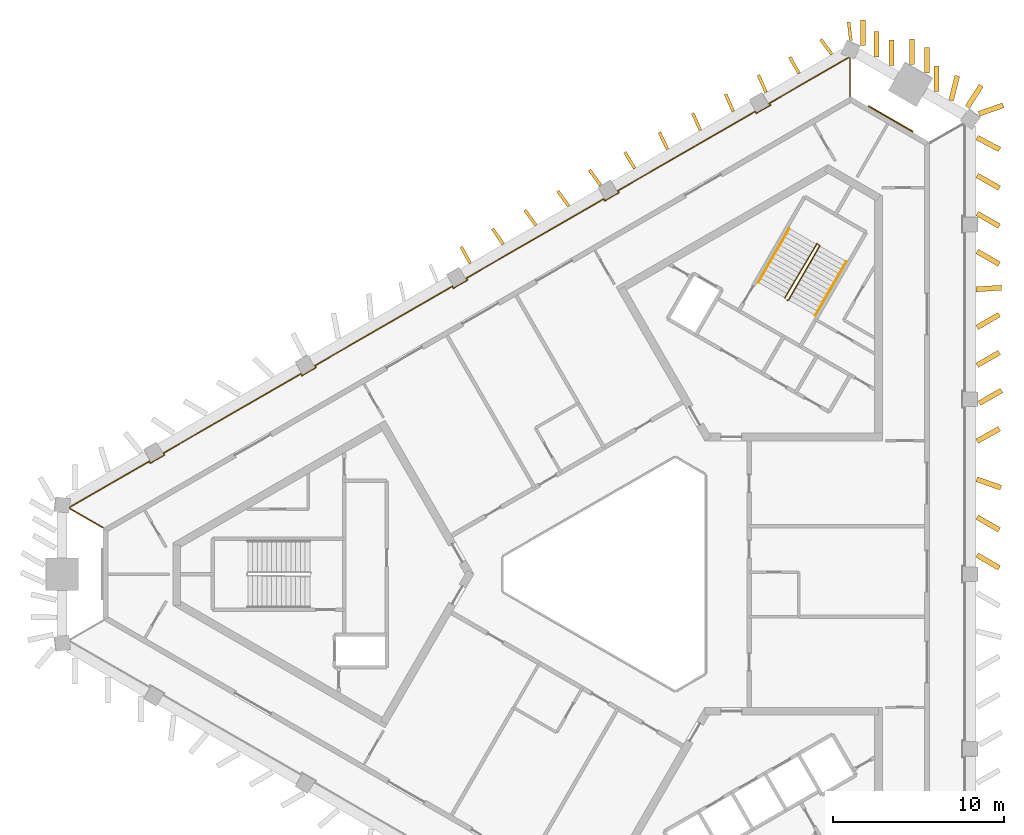
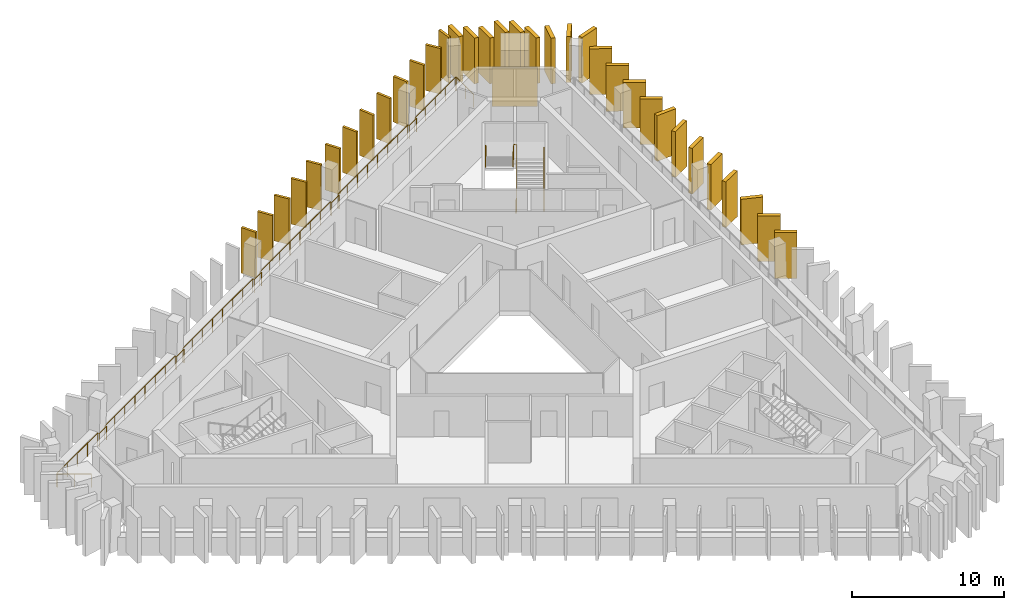
# One storey, part 9 of 9: 34 shading devices, 4 railings, 1 covering.
"""IFC4 building model written with IfcOpenShell, lengths in metres."""

import ifcopenshell
import ifcopenshell.guid

model = None  # the IFC model being written
_history = None  # IfcOwnerHistory: only IFC2X3 demands one
_inside = {}  # id of a spatial element -> (the spatial element, [elements in it])
_under = {}  # id of a project, library or spatial element -> (it, [spatial elements below it])
_declared = {}  # id of a project -> (the project, [libraries it declares])
_typed = {}  # id of a type object -> (the type object, [elements of that type])
_made_of = {}  # id of a material, layer set ... -> (it, [elements and type objects made of it])


def new_model(schema):
    """Start an empty IFC model of exactly this schema.

    Asked for "IFC4X3", IfcOpenShell would pick the latest addendum, in which some entities
    have other attributes; the version numbers below select the first issue.
    IFC2X3 requires an IfcOwnerHistory on every rooted entity: one is made here for all.
    """
    global model, _history
    if schema == "IFC4X3":
        model = ifcopenshell.file(schema_version=(4, 3, 0, 0))
    else:
        model = ifcopenshell.file(schema=schema)
    _inside.clear()
    _under.clear()
    _declared.clear()
    _typed.clear()
    _made_of.clear()
    _history = None
    if model.schema == "IFC2X3":
        org = make("IfcOrganization", Name="unknown")
        user = make(
            "IfcPersonAndOrganization",
            ThePerson=make("IfcPerson", FamilyName="unknown"),
            TheOrganization=org,
        )
        app = make(
            "IfcApplication",
            ApplicationDeveloper=org,
            Version="unknown",
            ApplicationFullName="unknown",
            ApplicationIdentifier="unknown",
        )
        _history = make(
            "IfcOwnerHistory",
            OwningUser=user,
            OwningApplication=app,
            ChangeAction="ADDED",
            CreationDate=0,
        )
    return model


def make(cls, **values):
    """One entity of the class cls with the attributes given. An attribute that is None is left unset."""
    return model.create_entity(
        cls, **{name: value for name, value in values.items() if value is not None}
    )


def rooted(cls, **values):
    """An entity with a GlobalId (a new one), such as an element, a storey or a relation."""
    return make(cls, GlobalId=ifcopenshell.guid.new(), OwnerHistory=_history, **values)


def si_unit(unit_type, name, prefix=None):
    """IfcSIUnit, for example si_unit("LENGTHUNIT", "METRE", prefix="MILLI")."""
    return make("IfcSIUnit", UnitType=unit_type, Prefix=prefix, Name=name)


def assignment(units):
    """IfcUnitAssignment: the units of a project."""
    return None if units is None else make("IfcUnitAssignment", Units=units)


def point(xyz):
    """IfcCartesianPoint."""
    return None if xyz is None else make("IfcCartesianPoint", Coordinates=xyz)


def direction(xyz):
    """IfcDirection."""
    return None if xyz is None else make("IfcDirection", DirectionRatios=xyz)


def frame(location, z_axis=None, x_axis=None):
    """IfcAxis2Placement3D, a coordinate frame: its origin and axes. An axis left out is left unset."""
    return make(
        "IfcAxis2Placement3D",
        Location=point(location),
        Axis=direction(z_axis),
        RefDirection=direction(x_axis),
    )


def frame_2d(location, x_axis=None):
    """IfcAxis2Placement2D, a coordinate frame in the plane: its origin and x axis."""
    return make(
        "IfcAxis2Placement2D", Location=point(location), RefDirection=direction(x_axis)
    )


def origin():
    """The frame at (0, 0, 0) with its axes left unset."""
    return frame((0.0, 0.0, 0.0))


def origin_2d():
    """The frame at (0, 0) in the plane with its x axis left unset."""
    return frame_2d((0.0, 0.0))


def place(relative_to, where):
    """IfcLocalPlacement: puts the frame where relative to a parent placement (None: the world)."""
    return make(
        "IfcLocalPlacement", PlacementRelTo=relative_to, RelativePlacement=where
    )


def context(
    kind, dimensions, precision=None, world=None, true_north=None, identifier=None
):
    """IfcGeometricRepresentationContext, for example the 3D "Model" context."""
    return make(
        "IfcGeometricRepresentationContext",
        ContextIdentifier=identifier,
        ContextType=kind,
        CoordinateSpaceDimension=dimensions,
        Precision=precision,
        WorldCoordinateSystem=world,
        TrueNorth=true_north,
    )


def subcontext(parent, identifier, kind, view, scale=None):
    """IfcGeometricRepresentationSubContext, for example "Body" below "Model"."""
    return make(
        "IfcGeometricRepresentationSubContext",
        ContextIdentifier=identifier,
        ContextType=kind,
        ParentContext=parent,
        TargetScale=scale,
        TargetView=view,
    )


def project(units=None, contexts=None):
    """IfcProject with its units and contexts."""
    return rooted(
        "IfcProject",
        Name="project",
        RepresentationContexts=contexts,
        UnitsInContext=assignment(units),
    )


def spatial(cls, under=None, at=None, **own):
    """A site, building, storey or space (cls), placed at a placement, below another one or the project."""
    s = rooted(cls, ObjectPlacement=at, **own)
    if under is not None:
        _under.setdefault(under.id(), (under, []))[1].append(s)
    return s


def profile(cls, at=None, kind="AREA", **sizes):
    """A parametric profile (cls). Its sizes go by their IFC names, for example OverallWidth=200.0."""
    return make(cls, ProfileType=kind, Position=at, **sizes)


def rectangle(**sizes):
    """IfcRectangleProfileDef."""
    return profile("IfcRectangleProfileDef", **sizes)


def circle(**sizes):
    """IfcCircleProfileDef."""
    return profile("IfcCircleProfileDef", **sizes)


def extrude(swept, where, along, depth):
    """IfcExtrudedAreaSolid: the profile swept, set in the frame where, extruded along a direction by depth."""
    return make(
        "IfcExtrudedAreaSolid",
        SweptArea=swept,
        Position=where,
        ExtrudedDirection=direction(along),
        Depth=depth,
    )


def shape(context_of_items, identifier, shape_type, items):
    """IfcShapeRepresentation: the items that make up one representation, for example the "Body"."""
    return make(
        "IfcShapeRepresentation",
        ContextOfItems=context_of_items,
        RepresentationIdentifier=identifier,
        RepresentationType=shape_type,
        Items=items,
    )


def material(Name=None, Category=None):
    """IfcMaterial."""
    return make("IfcMaterial", Name=Name, Category=Category)


def layer(
    of_material, thickness, ventilated=None, Name=None, Category=None, Priority=None
):
    """IfcMaterialLayer: one layer of a wall or slab, of a material (None: an air gap)."""
    return make(
        "IfcMaterialLayer",
        Material=of_material,
        LayerThickness=thickness,
        IsVentilated=ventilated,
        Name=Name,
        Category=Category,
        Priority=Priority,
    )


def layer_set(layers, Name=None):
    """IfcMaterialLayerSet."""
    return make("IfcMaterialLayerSet", MaterialLayers=layers, LayerSetName=Name)


def made_of(thing, what):
    """Note that an element or type object is made of a material, layer set ...; save() writes the relation."""
    if what is not None:
        _made_of.setdefault(what.id(), (what, []))[1].append(thing)
    return thing


def type_object(cls, material=None, **own):
    """A type object (cls), such as IfcWallType, which elements share."""
    return made_of(rooted(cls, **own), material)


def element(
    cls,
    number,
    at=None,
    inside=None,
    cuts=None,
    type_object=None,
    material=None,
    context=None,
    identifier="Body",
    shape_type=None,
    held_by="IfcProductDefinitionShape",
    body=None,
    shapes=None,
    **own,
):
    """One element of the class cls, such as IfcWall. Its Tag is "e" and its number.

    at: its placement. inside: the storey or other place that contains it. cuts: it is an
    opening in that element (IfcRelVoidsElement). A single representation is given by context,
    identifier, shape_type and body (its items); several are given by shapes. held_by: the class
    of the entity that holds the representations. save() writes the other relations.
    """
    e = rooted(cls, Tag="e%d" % number, ObjectPlacement=at, **own)
    if body is not None:
        shapes = [shape(context, identifier, shape_type, body)]
    if shapes is not None:
        e.Representation = make(held_by, Representations=shapes)
    if inside is not None:
        _inside.setdefault(inside.id(), (inside, []))[1].append(e)
    if cuts is not None:
        rooted(
            "IfcRelVoidsElement", RelatingBuildingElement=cuts, RelatedOpeningElement=e
        )
    if type_object is not None:
        _typed.setdefault(type_object.id(), (type_object, []))[1].append(e)
    return made_of(e, material)


def aggregate(whole, parts):
    """IfcRelAggregates: a whole, such as a stair, and the parts it consists of."""
    return rooted("IfcRelAggregates", RelatingObject=whole, RelatedObjects=parts)


def save(model, path):
    """Write the relations noted so far, then the file.

    IfcRelAggregates (storeys below a building ...), IfcRelContainedInSpatialStructure (elements
    in a storey), IfcRelDefinesByType, IfcRelAssociatesMaterial and IfcRelDeclares: one each for
    every whole, place, type object, material and project.
    """
    for whole, parts in _under.values():
        aggregate(whole, parts)
    for where, things in _inside.values():
        rooted(
            "IfcRelContainedInSpatialStructure",
            RelatedElements=things,
            RelatingStructure=where,
        )
    for kind, things in _typed.values():
        rooted("IfcRelDefinesByType", RelatedObjects=things, RelatingType=kind)
    for what, things in _made_of.values():
        rooted("IfcRelAssociatesMaterial", RelatedObjects=things, RelatingMaterial=what)
    for by, libraries in _declared.values():
        rooted("IfcRelDeclares", RelatingContext=by, RelatedDefinitions=libraries)
    model.write(path)


model = new_model("IFC4")

# Units and contexts
model_context = context("Model", 3, precision=1e-05, world=origin(), true_north=direction((0.0, 1.0)))
body_context = subcontext(model_context, "Body", "Model", "MODEL_VIEW")
ifc_project = project(units=[si_unit("LENGTHUNIT", "METRE"), si_unit("AREAUNIT", "SQUARE_METRE"), si_unit("VOLUMEUNIT", "CUBIC_METRE"), si_unit("PLANEANGLEUNIT", "RADIAN"), si_unit("MASSUNIT", "GRAM", prefix="KILO")], contexts=[model_context])

# Site, building, storey
site_placement = place(None, origin())
site = spatial("IfcSite", under=ifc_project, at=site_placement, CompositionType="ELEMENT")
building_placement = place(site_placement, origin())
building = spatial("IfcBuilding", under=site, at=building_placement, Name="Jabali Bay Hotel Tower and Convention Centre", CompositionType="ELEMENT")
storey_placement = place(building_placement, frame((0.0, 0.0, 228.0)))
storey = spatial("IfcBuildingStorey", under=building, at=storey_placement, Name="L56", CompositionType="ELEMENT", Elevation=228.0)

# Railing
ifc_material_1 = material(Name="Glass", Category="glass")
railing_type_1 = type_object("IfcRailingType", Name="Loggia glass guard 1100", PredefinedType="BALUSTRADE", material=ifc_material_1)
railing_1_placement = place(storey_placement, frame((44.303955078125, 82.71875, 0.0)))
element("IfcRailing", 1, at=railing_1_placement, inside=storey, type_object=railing_type_1, Name="Loggia glass guard L56", PredefinedType="BALUSTRADE", context=body_context, shape_type="SweptSolid", body=[
    extrude(circle(Radius=0.02490234375, at=origin_2d()), frame((0.0, 0.0, 1.0751953125), z_axis=(-0.866008297462, 0.50002962785, 0.0), x_axis=(-0.495751805066, -0.858599476426, 0.13052619222)), (0.0, 0.0, 1.0), 2.247314453125),
    extrude(circle(Radius=0.02490234375, at=origin_2d()), frame((-1.9462890625, 1.123779296875, 1.0751953125), z_axis=(0.120005554105, 0.99277322032, 0.0), x_axis=(-0.984279907796, 0.118978889953, 0.13052619222)), (0.0, 0.0, 1.0), 0.067138671875),
    extrude(circle(Radius=0.02490234375, at=origin_2d()), frame((-1.938232421875, 1.1904296875, 1.0751953125), z_axis=(0.866035084688, 0.499983231807, 0.0), x_axis=(-0.495705805949, 0.858626034484, 0.13052619222)), (0.0, 0.0, 1.0), 5.375732421875),
    extrude(circle(Radius=0.02490234375, at=origin_2d()), frame((2.71728515625, 3.878173828125, 1.0751953125), z_axis=(0.500342721131, -0.865827443207, 0.0), x_axis=(0.858420169404, 0.496062219791, 0.13052619222)), (0.0, 0.0, 1.0), 0.125),
    extrude(circle(Radius=0.02490234375, at=origin_2d()), frame((2.77978515625, 3.77001953125, 1.0751953125), z_axis=(0.866100000774, 0.49987077196, 0.0), x_axis=(-0.495594308211, 0.858690395203, 0.13052619222)), (0.0, 0.0, 1.0), 0.949951171875),
    extrude(circle(Radius=0.02490234375, at=origin_2d()), frame((3.6025390625, 4.244873046875, 1.0751953125), z_axis=(-0.499497219344, 0.8663154898, 0.0), x_axis=(-0.858904040691, -0.495223951389, 0.13052619222)), (0.0, 0.0, 1.0), 0.125244140625),
    extrude(circle(Radius=0.02490234375, at=origin_2d()), frame((3.5400390625, 4.353271484375, 1.0751953125), z_axis=(0.866022578741, 0.500004893086, 0.0), x_axis=(-0.495727281912, 0.858613635527, 0.13052619222)), (0.0, 0.0, 1.0), 9.2783203125),
    extrude(circle(Radius=0.02490234375, at=origin_2d()), frame((11.5751953125, 8.992431640625, 1.0751953125), z_axis=(0.500342721131, -0.865827443207, 0.0), x_axis=(0.858420169404, 0.496062219791, 0.13052619222)), (0.0, 0.0, 1.0), 0.125),
    extrude(circle(Radius=0.02490234375, at=origin_2d()), frame((11.6376953125, 8.88427734375, 1.0751953125), z_axis=(0.866100000774, 0.49987077196, 0.0), x_axis=(-0.495594308211, 0.858690395203, 0.13052619222)), (0.0, 0.0, 1.0), 0.949951171875),
    extrude(circle(Radius=0.02490234375, at=origin_2d()), frame((12.46044921875, 9.359130859375, 1.0751953125), z_axis=(-0.499497219344, 0.8663154898, 0.0), x_axis=(-0.858904040691, -0.495223951389, 0.13052619222)), (0.0, 0.0, 1.0), 0.125244140625),
    extrude(circle(Radius=0.02490234375, at=origin_2d()), frame((12.39794921875, 9.467529296875, 1.0751953125), z_axis=(0.866029156965, 0.499993499245, 0.0), x_axis=(-0.495715985547, 0.858620157473, 0.13052619222)), (0.0, 0.0, 1.0), 9.2783203125),
    extrude(circle(Radius=0.02490234375, at=origin_2d()), frame((20.433349609375, 14.106689453125, 1.0751953125), z_axis=(0.500342721131, -0.865827443207, 0.0), x_axis=(0.858420169404, 0.496062219791, 0.13052619222)), (0.0, 0.0, 1.0), 0.125),
    extrude(circle(Radius=0.02490234375, at=origin_2d()), frame((20.495849609375, 13.99853515625, 1.0751953125), z_axis=(0.866100000774, 0.49987077196, 0.0), x_axis=(-0.495594308211, 0.858690395203, 0.13052619222)), (0.0, 0.0, 1.0), 0.949951171875),
    extrude(circle(Radius=0.02490234375, at=origin_2d()), frame((21.318603515625, 14.473388671875, 1.0751953125), z_axis=(-0.499497219344, 0.8663154898, 0.0), x_axis=(-0.858904040691, -0.495223951389, 0.13052619222)), (0.0, 0.0, 1.0), 0.125244140625),
    extrude(circle(Radius=0.02490234375, at=origin_2d()), frame((21.256103515625, 14.581787109375, 1.0751953125), z_axis=(0.866029156965, 0.499993499245, 0.0), x_axis=(-0.495715985547, 0.858620157473, 0.13052619222)), (0.0, 0.0, 1.0), 9.2783203125),
    extrude(circle(Radius=0.02490234375, at=origin_2d()), frame((29.29150390625, 19.220947265625, 1.0751953125), z_axis=(0.499497219344, -0.8663154898, 0.0), x_axis=(0.858904040691, 0.495223951389, 0.13052619222)), (0.0, 0.0, 1.0), 0.125244140625),
    extrude(circle(Radius=0.02490234375, at=origin_2d()), frame((29.35400390625, 19.112548828125, 1.0751953125), z_axis=(0.865988727248, 0.500063520245, 0.0), x_axis=(-0.495785407507, 0.858580073638, 0.13052619222)), (0.0, 0.0, 1.0), 0.9501953125),
    extrude(circle(Radius=0.02490234375, at=origin_2d()), frame((30.1767578125, 19.587646484375, 1.0751953125), z_axis=(-0.500342721131, 0.865827443207, 0.0), x_axis=(-0.858420169404, -0.496062219791, 0.13052619222)), (0.0, 0.0, 1.0), 0.125),
    extrude(circle(Radius=0.02490234375, at=origin_2d()), frame((30.1142578125, 19.69580078125, 1.0751953125), z_axis=(0.866017763265, 0.500013233535, 0.0), x_axis=(-0.495735551007, 0.858608861247, 0.13052619222)), (0.0, 0.0, 1.0), 9.278564453125),
    extrude(circle(Radius=0.02490234375, at=origin_2d()), frame((38.149658203125, 24.335205078125, 1.0751953125), z_axis=(0.499497219344, -0.8663154898, 0.0), x_axis=(0.858904040691, 0.495223951389, 0.13052619222)), (0.0, 0.0, 1.0), 0.125244140625),
    extrude(circle(Radius=0.02490234375, at=origin_2d()), frame((38.212158203125, 24.226806640625, 1.0751953125), z_axis=(0.865988727248, 0.500063520245, 0.0), x_axis=(-0.495785407507, 0.858580073638, 0.13052619222)), (0.0, 0.0, 1.0), 0.9501953125),
    extrude(circle(Radius=0.02490234375, at=origin_2d()), frame((39.034912109375, 24.701904296875, 1.0751953125), z_axis=(-0.500342721131, 0.865827443207, 0.0), x_axis=(-0.858420169404, -0.496062219791, 0.13052619222)), (0.0, 0.0, 1.0), 0.125),
    extrude(circle(Radius=0.02490234375, at=origin_2d()), frame((38.972412109375, 24.81005859375, 1.0751953125), z_axis=(0.866004064096, 0.500036959603, 0.0), x_axis=(-0.495759074095, 0.858595279277, 0.13052619222)), (0.0, 0.0, 1.0), 5.37548828125),
    extrude(circle(Radius=0.02490234375, at=origin_2d()), frame((43.627685546875, 27.498046875, 1.0751953125), z_axis=(0.91970817197, -0.392602697916, 0.0), x_axis=(0.38924392741, 0.911839941063, 0.13052619222)), (0.0, 0.0, 1.0), 0.067138671875),
    extrude(circle(Radius=0.02490234375, at=origin_2d()), frame((43.689453125, 27.4716796875, 1.0751953125), z_axis=(0.0, -1.0, 0.0), x_axis=(0.991444861374, 0.0, 0.13052619222)), (0.0, 0.0, 1.0), 2.24755859375),
    extrude(circle(Radius=0.02001953125, at=origin_2d()), origin(), (0.0, 0.0, 1.0), 1.050048828125),
    extrude(circle(Radius=0.02001953125, at=origin_2d()), frame((-0.97314453125, 0.56201171875, 0.0)), (0.0, 0.0, 1.0), 1.050048828125),
    extrude(circle(Radius=0.02001953125, at=origin_2d()), frame((-1.9462890625, 1.123779296875, 0.0)), (0.0, 0.0, 1.0), 1.050048828125),
    extrude(circle(Radius=0.02001953125, at=origin_2d()), frame((-1.938232421875, 1.1904296875, 0.0)), (0.0, 0.0, 1.0), 1.050048828125),
    extrude(circle(Radius=0.02001953125, at=origin_2d()), frame((-0.7744140625, 1.8623046875, 0.0)), (0.0, 0.0, 1.0), 1.050048828125),
    extrude(circle(Radius=0.02001953125, at=origin_2d()), frame((0.3896484375, 2.5341796875, 0.0)), (0.0, 0.0, 1.0), 1.050048828125),
    extrude(circle(Radius=0.02001953125, at=origin_2d()), frame((1.553466796875, 3.206298828125, 0.0)), (0.0, 0.0, 1.0), 1.050048828125),
    extrude(circle(Radius=0.02001953125, at=origin_2d()), frame((2.71728515625, 3.878173828125, 0.0)), (0.0, 0.0, 1.0), 1.050048828125),
    extrude(circle(Radius=0.02001953125, at=origin_2d()), frame((2.77978515625, 3.77001953125, 0.0)), (0.0, 0.0, 1.0), 1.050048828125),
    extrude(circle(Radius=0.02001953125, at=origin_2d()), frame((3.6025390625, 4.244873046875, 0.0)), (0.0, 0.0, 1.0), 1.050048828125),
    extrude(circle(Radius=0.02001953125, at=origin_2d()), frame((3.5400390625, 4.353271484375, 0.0)), (0.0, 0.0, 1.0), 1.050048828125),
    extrude(circle(Radius=0.02001953125, at=origin_2d()), frame((4.68798828125, 5.01611328125, 0.0)), (0.0, 0.0, 1.0), 1.050048828125),
    extrude(circle(Radius=0.02001953125, at=origin_2d()), frame((5.835693359375, 5.6787109375, 0.0)), (0.0, 0.0, 1.0), 1.050048828125),
    extrude(circle(Radius=0.02001953125, at=origin_2d()), frame((6.983642578125, 6.341552734375, 0.0)), (0.0, 0.0, 1.0), 1.050048828125),
    extrude(circle(Radius=0.02001953125, at=origin_2d()), frame((8.131591796875, 7.004150390625, 0.0)), (0.0, 0.0, 1.0), 1.050048828125),
    extrude(circle(Radius=0.02001953125, at=origin_2d()), frame((9.279541015625, 7.6669921875, 0.0)), (0.0, 0.0, 1.0), 1.050048828125),
    extrude(circle(Radius=0.02001953125, at=origin_2d()), frame((10.42724609375, 8.32958984375, 0.0)), (0.0, 0.0, 1.0), 1.050048828125),
    extrude(circle(Radius=0.02001953125, at=origin_2d()), frame((11.5751953125, 8.992431640625, 0.0)), (0.0, 0.0, 1.0), 1.050048828125),
    extrude(circle(Radius=0.02001953125, at=origin_2d()), frame((11.6376953125, 8.88427734375, 0.0)), (0.0, 0.0, 1.0), 1.050048828125),
    extrude(circle(Radius=0.02001953125, at=origin_2d()), frame((12.46044921875, 9.359130859375, 0.0)), (0.0, 0.0, 1.0), 1.050048828125),
    extrude(circle(Radius=0.02001953125, at=origin_2d()), frame((12.39794921875, 9.467529296875, 0.0)), (0.0, 0.0, 1.0), 1.050048828125),
    extrude(circle(Radius=0.02001953125, at=origin_2d()), frame((13.5458984375, 10.13037109375, 0.0)), (0.0, 0.0, 1.0), 1.050048828125),
    extrude(circle(Radius=0.02001953125, at=origin_2d()), frame((14.69384765625, 10.79296875, 0.0)), (0.0, 0.0, 1.0), 1.050048828125),
    extrude(circle(Radius=0.02001953125, at=origin_2d()), frame((15.841796875, 11.455810546875, 0.0)), (0.0, 0.0, 1.0), 1.050048828125),
    extrude(circle(Radius=0.02001953125, at=origin_2d()), frame((16.989501953125, 12.118408203125, 0.0)), (0.0, 0.0, 1.0), 1.050048828125),
    extrude(circle(Radius=0.02001953125, at=origin_2d()), frame((18.137451171875, 12.78125, 0.0)), (0.0, 0.0, 1.0), 1.050048828125),
    extrude(circle(Radius=0.02001953125, at=origin_2d()), frame((19.285400390625, 13.44384765625, 0.0)), (0.0, 0.0, 1.0), 1.050048828125),
    extrude(circle(Radius=0.02001953125, at=origin_2d()), frame((20.433349609375, 14.106689453125, 0.0)), (0.0, 0.0, 1.0), 1.050048828125),
    extrude(circle(Radius=0.02001953125, at=origin_2d()), frame((20.495849609375, 13.99853515625, 0.0)), (0.0, 0.0, 1.0), 1.050048828125),
    extrude(circle(Radius=0.02001953125, at=origin_2d()), frame((21.318603515625, 14.473388671875, 0.0)), (0.0, 0.0, 1.0), 1.050048828125),
    extrude(circle(Radius=0.02001953125, at=origin_2d()), frame((21.256103515625, 14.581787109375, 0.0)), (0.0, 0.0, 1.0), 1.050048828125),
    extrude(circle(Radius=0.02001953125, at=origin_2d()), frame((22.404052734375, 15.24462890625, 0.0)), (0.0, 0.0, 1.0), 1.050048828125),
    extrude(circle(Radius=0.02001953125, at=origin_2d()), frame((23.552001953125, 15.9072265625, 0.0)), (0.0, 0.0, 1.0), 1.050048828125),
    extrude(circle(Radius=0.02001953125, at=origin_2d()), frame((24.699951171875, 16.570068359375, 0.0)), (0.0, 0.0, 1.0), 1.050048828125),
    extrude(circle(Radius=0.02001953125, at=origin_2d()), frame((25.84765625, 17.232666015625, 0.0)), (0.0, 0.0, 1.0), 1.050048828125),
    extrude(circle(Radius=0.02001953125, at=origin_2d()), frame((26.99560546875, 17.8955078125, 0.0)), (0.0, 0.0, 1.0), 1.050048828125),
    extrude(circle(Radius=0.02001953125, at=origin_2d()), frame((28.1435546875, 18.55810546875, 0.0)), (0.0, 0.0, 1.0), 1.050048828125),
    extrude(circle(Radius=0.02001953125, at=origin_2d()), frame((29.29150390625, 19.220947265625, 0.0)), (0.0, 0.0, 1.0), 1.050048828125),
    extrude(circle(Radius=0.02001953125, at=origin_2d()), frame((29.35400390625, 19.112548828125, 0.0)), (0.0, 0.0, 1.0), 1.050048828125),
    extrude(circle(Radius=0.02001953125, at=origin_2d()), frame((30.1767578125, 19.587646484375, 0.0)), (0.0, 0.0, 1.0), 1.050048828125),
    extrude(circle(Radius=0.02001953125, at=origin_2d()), frame((30.1142578125, 19.69580078125, 0.0)), (0.0, 0.0, 1.0), 1.050048828125),
    extrude(circle(Radius=0.02001953125, at=origin_2d()), frame((31.26220703125, 20.358642578125, 0.0)), (0.0, 0.0, 1.0), 1.050048828125),
    extrude(circle(Radius=0.02001953125, at=origin_2d()), frame((32.41015625, 21.021240234375, 0.0)), (0.0, 0.0, 1.0), 1.050048828125),
    extrude(circle(Radius=0.02001953125, at=origin_2d()), frame((33.55810546875, 21.68408203125, 0.0)), (0.0, 0.0, 1.0), 1.050048828125),
    extrude(circle(Radius=0.02001953125, at=origin_2d()), frame((34.705810546875, 22.346923828125, 0.0)), (0.0, 0.0, 1.0), 1.050048828125),
    extrude(circle(Radius=0.02001953125, at=origin_2d()), frame((35.853759765625, 23.009765625, 0.0)), (0.0, 0.0, 1.0), 1.050048828125),
    extrude(circle(Radius=0.02001953125, at=origin_2d()), frame((37.001708984375, 23.67236328125, 0.0)), (0.0, 0.0, 1.0), 1.050048828125),
    extrude(circle(Radius=0.02001953125, at=origin_2d()), frame((38.149658203125, 24.335205078125, 0.0)), (0.0, 0.0, 1.0), 1.050048828125),
    extrude(circle(Radius=0.02001953125, at=origin_2d()), frame((38.212158203125, 24.226806640625, 0.0)), (0.0, 0.0, 1.0), 1.050048828125),
    extrude(circle(Radius=0.02001953125, at=origin_2d()), frame((39.034912109375, 24.701904296875, 0.0)), (0.0, 0.0, 1.0), 1.050048828125),
    extrude(circle(Radius=0.02001953125, at=origin_2d()), frame((38.972412109375, 24.81005859375, 0.0)), (0.0, 0.0, 1.0), 1.050048828125),
    extrude(circle(Radius=0.02001953125, at=origin_2d()), frame((40.13623046875, 25.48193359375, 0.0)), (0.0, 0.0, 1.0), 1.050048828125),
    extrude(circle(Radius=0.02001953125, at=origin_2d()), frame((41.300048828125, 26.154052734375, 0.0)), (0.0, 0.0, 1.0), 1.050048828125),
    extrude(circle(Radius=0.02001953125, at=origin_2d()), frame((42.4638671875, 26.826171875, 0.0)), (0.0, 0.0, 1.0), 1.050048828125),
    extrude(circle(Radius=0.02001953125, at=origin_2d()), frame((43.627685546875, 27.498046875, 0.0)), (0.0, 0.0, 1.0), 1.050048828125),
    extrude(circle(Radius=0.02001953125, at=origin_2d()), frame((43.689453125, 27.4716796875, 0.0)), (0.0, 0.0, 1.0), 1.050048828125),
    extrude(circle(Radius=0.02001953125, at=origin_2d()), frame((43.689453125, 26.347900390625, 0.0)), (0.0, 0.0, 1.0), 1.050048828125),
    extrude(circle(Radius=0.02001953125, at=origin_2d()), frame((43.689453125, 25.22412109375, 0.0)), (0.0, 0.0, 1.0), 1.050048828125),
])

# Shading devices
ifc_material_2 = material(Name="Precast concrete C60", Category="concrete")
ifc_layer_1 = layer(ifc_material_2, 0.179931640625)
ifc_layer_set_1 = layer_set([ifc_layer_1], Name="Precast concrete C60")
shading_device_type_1 = type_object("IfcShadingDeviceType", Name="Precast fin 3680 x 1100", PredefinedType="USERDEFINED", material=ifc_layer_set_1)
shading_device_1_placement = place(storey_placement, frame((86.930908203125, 110.392578125, 0.010009765625), z_axis=(0.0, 0.0, 1.0), x_axis=(-0.595301863054, 0.80350214178, 0.0)))
element("IfcShadingDevice", 2, at=shading_device_1_placement, inside=storey, type_object=shading_device_type_1, Name="Fin L56 032", ObjectType="FIN", PredefinedType="USERDEFINED", context=body_context, shape_type="SweptSolid", body=[
    extrude(rectangle(XDim=1.099853515625, YDim=0.179931640625, at=frame_2d((0.5498046875, 0.0))), origin(), (0.0, 0.0, 1.0), 3.679931640625),
])
for number, where, z_axis, x_axis, name in (
    (3, (85.012939453125, 109.274658203125, 0.010009765625), (0.0, 0.0, 1.0), (-0.490271776943, 0.871569609803, 0.0), "Fin L56 033"),
    (4, (83.086181640625, 108.171875, 0.010009765625), (0.0, 0.0, 1.0), (-0.405458848311, 0.914113298408, 0.0), "Fin L56 034"),
):
    element("IfcShadingDevice", number, at=place(storey_placement, frame(where, z_axis=z_axis, x_axis=x_axis)), inside=storey, type_object=shading_device_type_1, Name=name, ObjectType="FIN", PredefinedType="USERDEFINED", context=body_context, shape_type="SweptSolid", body=[
        extrude(rectangle(XDim=1.10009765625, YDim=0.179931640625, at=frame_2d((0.550048828125, 0.0))), origin(), (0.0, 0.0, 1.0), 3.679931640625),
    ])
shading_device_2_placement = place(storey_placement, frame((81.163818359375, 107.06201171875, 0.010009765625), z_axis=(0.0, 0.0, 1.0), x_axis=(-0.40617965337, 0.913793242035, 0.0)))
element("IfcShadingDevice", 5, at=shading_device_2_placement, inside=storey, type_object=shading_device_type_1, Name="Fin L56 035", ObjectType="FIN", PredefinedType="USERDEFINED", context=body_context, shape_type="SweptSolid", body=[
    extrude(rectangle(XDim=1.099853515625, YDim=0.179931640625, at=frame_2d((0.5498046875, 0.0))), origin(), (0.0, 0.0, 1.0), 3.679931640625),
])
for number, where, z_axis, x_axis, name in (
    (6, (79.2412109375, 105.951904296875, 0.010009765625), (0.0, 0.0, 1.0), (-0.40636496566, 0.91371084851, 0.0), "Fin L56 036"),
    (7, (77.320068359375, 104.83984375, 0.010009765625), (0.0, 0.0, 1.0), (-0.431431938433, 0.902145488544, 0.0), "Fin L56 037"),
):
    element("IfcShadingDevice", number, at=place(storey_placement, frame(where, z_axis=z_axis, x_axis=x_axis)), inside=storey, type_object=shading_device_type_1, Name=name, ObjectType="FIN", PredefinedType="USERDEFINED", context=body_context, shape_type="SweptSolid", body=[
        extrude(rectangle(XDim=1.10009765625, YDim=0.179931640625, at=frame_2d((0.550048828125, 0.0))), origin(), (0.0, 0.0, 1.0), 3.679931640625),
    ])
shading_device_3_placement = place(storey_placement, frame((75.400146484375, 103.725830078125, 0.010009765625), z_axis=(0.0, 0.0, 1.0), x_axis=(-0.519383517788, 0.854541257898, 0.0)))
element("IfcShadingDevice", 8, at=shading_device_3_placement, inside=storey, type_object=shading_device_type_1, Name="Fin L56 038", ObjectType="FIN", PredefinedType="USERDEFINED", context=body_context, shape_type="SweptSolid", body=[
    extrude(rectangle(XDim=1.099853515625, YDim=0.179931640625, at=frame_2d((0.5498046875, 0.0))), origin(), (0.0, 0.0, 1.0), 3.679931640625),
])
for number, where, z_axis, x_axis, name in (
    (9, (73.40771484375, 102.737060546875, 0.010009765625), (0.0, 0.0, 1.0), (-0.588145304304, 0.808755278824, 0.0), "Fin L56 039"),
    (10, (71.551513671875, 101.51220703125, 0.010009765625), (0.0, 0.0, 1.0), (-0.588791741155, 0.80828477998, 0.0), "Fin L56 040"),
    (11, (69.62890625, 100.402587890625, 0.010009765625), (0.0, 0.0, 1.0), (-0.590333708919, 0.807159285466, 0.0), "Fin L56 041"),
    (12, (67.708251953125, 99.28955078125, 0.010009765625), (0.0, 0.0, 1.0), (-0.55812669131, 0.829755745053, 0.0), "Fin L56 042"),
    (13, (65.7880859375, 98.175537109375, 0.010009765625), (0.0, 0.0, 1.0), (-0.485322590942, 0.874335166124, 0.0), "Fin L56 043"),
    (14, (88.04345703125, 111.195556640625, 0.010009765625), (0.0, 0.0, 1.0), (-0.120510318914, 0.992712074589, 0.0), "Fin L56 098"),
):
    element("IfcShadingDevice", number, at=place(storey_placement, frame(where, z_axis=z_axis, x_axis=x_axis)), inside=storey, type_object=shading_device_type_1, Name=name, ObjectType="FIN", PredefinedType="USERDEFINED", context=body_context, shape_type="SweptSolid", body=[
        extrude(rectangle(XDim=1.10009765625, YDim=0.179931640625, at=frame_2d((0.550048828125, 0.0))), origin(), (0.0, 0.0, 1.0), 3.679931640625),
    ])
ifc_layer_2 = layer(ifc_material_2, 0.300048828125)
ifc_layer_set_2 = layer_set([ifc_layer_2], Name="Precast concrete C60")
shading_device_type_2 = type_object("IfcShadingDeviceType", Name="Precast fin 3680 x 1500", PredefinedType="USERDEFINED", material=ifc_layer_set_2)
for number, where, z_axis, x_axis, name in (
    (15, (95.419677734375, 81.10986328125, 0.010009765625), (0.0, 0.0, 1.0), (0.867159382876, -0.498030726652, 0.0), "Fin L56 012"),
    (16, (95.419677734375, 83.329833984375, 0.010009765625), (0.0, 0.0, 1.0), (0.867159382876, -0.498030726652, 0.0), "Fin L56 013"),
    (17, (95.39453125, 85.5498046875, 0.010009765625), (0.0, 0.0, 1.0), (0.943670434179, -0.330886856276, 0.0), "Fin L56 014"),
):
    element("IfcShadingDevice", number, at=place(storey_placement, frame(where, z_axis=z_axis, x_axis=x_axis)), inside=storey, type_object=shading_device_type_2, Name=name, ObjectType="FIN", PredefinedType="USERDEFINED", context=body_context, shape_type="SweptSolid", body=[
        extrude(rectangle(XDim=1.5, YDim=0.300048828125, at=frame_2d((0.75, 0.0))), origin(), (0.0, 0.0, 1.0), 3.679931640625),
    ])
shading_device_4_placement = place(storey_placement, frame((95.41796875, 87.76953125, 0.010009765625), z_axis=(0.0, 0.0, 1.0), x_axis=(0.873619372822, 0.486609896561, 0.0)))
element("IfcShadingDevice", 18, at=shading_device_4_placement, inside=storey, type_object=shading_device_type_2, Name="Fin L56 015", ObjectType="FIN", PredefinedType="USERDEFINED", context=body_context, shape_type="SweptSolid", body=[
    extrude(rectangle(XDim=1.500244140625, YDim=0.300048828125, at=frame_2d((0.75, 0.0))), origin(), (0.0, 0.0, 1.0), 3.679931640625),
])
for number, where, z_axis, x_axis, name in (
    (19, (95.55224609375, 89.989501953125, 0.010009765625), (0.0, 0.0, 1.0), (0.867159382876, 0.498030726652, 0.0), "Fin L56 016"),
    (20, (95.419677734375, 92.209228515625, 0.010009765625), (0.0, 0.0, 1.0), (0.867159382876, 0.498030726652, 0.0), "Fin L56 017"),
    (21, (95.419677734375, 94.42919921875, 0.010009765625), (0.0, 0.0, 1.0), (0.867159382876, 0.498030726652, 0.0), "Fin L56 018"),
    (22, (95.354736328125, 96.649169921875, 0.010009765625), (0.0, 0.0, 1.0), (0.997867910383, 0.065265867243, 0.0), "Fin L56 019"),
    (23, (95.419677734375, 98.868896484375, 0.010009765625), (0.0, 0.0, 1.0), (0.867340277111, -0.497715625334, 0.0), "Fin L56 020"),
    (24, (95.41943359375, 101.0888671875, 0.010009765625), (0.0, 0.0, 1.0), (0.867992633407, -0.496577071915, 0.0), "Fin L56 021"),
    (25, (95.418701171875, 103.308837890625, 0.010009765625), (0.0, 0.0, 1.0), (0.870944533041, -0.491381339049, 0.0), "Fin L56 022"),
    (26, (95.415283203125, 105.528564453125, 0.010009765625), (0.0, 0.0, 1.0), (0.88315364922, -0.469083821794, 0.0), "Fin L56 023"),
    (27, (94.854248046875, 107.306884765625, 0.010009765625), (0.0, 0.0, 1.0), (0.541144139172, 0.840929854768, 0.0), "Fin L56 024"),
    (28, (93.90234375, 107.681396484375, 0.010009765625), (0.0, 0.0, 1.0), (0.242497330756, 0.970152072912, 0.0), "Fin L56 025"),
    (29, (93.04296875, 108.21630859375, 0.010009765625), (0.0, 0.0, 1.0), (0.002278639918, 0.999997403897, 0.0), "Fin L56 026"),
    (30, (92.498046875, 109.2958984375, 0.010009765625), (0.0, 0.0, 1.0), (0.002278639918, 0.999997403897, 0.0), "Fin L56 027"),
    (31, (91.6220703125, 109.8017578125, 0.010009765625), (0.0, 0.0, 1.0), (0.00211588068, 0.999997761522, 0.0), "Fin L56 028"),
    (32, (90.41455078125, 109.733642578125, 0.010009765625), (0.0, 0.0, 1.0), (0.002278639918, 0.999997403897, 0.0), "Fin L56 029"),
    (33, (89.538330078125, 110.239501953125, 0.010009765625), (0.0, 0.0, 1.0), (0.002278639918, 0.999997403897, 0.0), "Fin L56 030"),
    (34, (88.75048828125, 110.898681640625, 0.010009765625), (0.0, 0.0, 1.0), (0.002278639918, 0.999997403897, 0.0), "Fin L56 031"),
    (35, (95.53076171875, 106.914794921875, 0.010009765625), (0.0, 0.0, 1.0), (0.94434958422, 0.32894355562, 0.0), "Fin L56 097"),
):
    element("IfcShadingDevice", number, at=place(storey_placement, frame(where, z_axis=z_axis, x_axis=x_axis)), inside=storey, type_object=shading_device_type_2, Name=name, ObjectType="FIN", PredefinedType="USERDEFINED", context=body_context, shape_type="SweptSolid", body=[
        extrude(rectangle(XDim=1.5, YDim=0.300048828125, at=frame_2d((0.75, 0.0))), origin(), (0.0, 0.0, 1.0), 3.679931640625),
    ])

# Covering
ifc_material_3 = material(Name="Precast concrete C40/50", Category="concrete")
ifc_layer_3 = layer(ifc_material_3, 0.080078125)
ifc_layer_set_3 = layer_set([ifc_layer_3], Name="Precast concrete C40/50")
covering_type = type_object("IfcCoveringType", Name="Relief panel 3000 x 3100", PredefinedType="CLADDING", material=ifc_layer_set_3)
covering_placement = place(storey_placement, frame((90.367919921875, 106.6181640625, 0.099853515625), z_axis=(0.0, 0.0, 1.0), x_axis=(0.866025348859, -0.500000095134, 0.0)))
element("IfcCovering", 36, at=covering_placement, inside=storey, type_object=covering_type, Name="Relief panel L56", PredefinedType="CLADDING", context=body_context, shape_type="SweptSolid", body=[
    extrude(rectangle(XDim=3.0, YDim=0.080078125, at=origin_2d()), origin(), (0.0, 0.0, 1.0), 3.10009765625),
])

# Railings
ifc_material_4 = material(Name="Steel Q355B", Category="steel")
railing_type_2 = type_object("IfcRailingType", Name="Stair guard 1100", PredefinedType="GUARDRAIL", material=ifc_material_4)
railing_2_placement = place(storey_placement, frame((84.329833984375, 96.010009765625, 0.0)))
element("IfcRailing", 37, at=railing_2_placement, inside=storey, type_object=railing_type_2, Name="L56 ST2 stair guard 1", PredefinedType="GUARDRAIL", context=body_context, shape_type="SweptSolid", body=[
    extrude(circle(Radius=0.02392578125, at=origin_2d()), frame((0.0, 0.0, 1.076171875), z_axis=(0.456201556387, 0.122196845461, 0.881446578591), x_axis=(-0.258736085224, 0.965948051503, 0.0)), (0.0, 0.0, 1.0), 0.14990234375),
    extrude(circle(Radius=0.02392578125, at=origin_2d()), frame((0.068359375, 0.018310546875, 1.2080078125), z_axis=(0.45217862506, 0.783169739339, 0.426825081763), x_axis=(-0.866018046521, 0.500012742938, 0.0)), (0.0, 0.0, 1.0), 4.025146484375),
    extrude(circle(Radius=0.02392578125, at=origin_2d()), frame((1.888427734375, 3.170654296875, 2.92626953125), z_axis=(-0.718850276695, 0.695164929852, 0.0), x_axis=(-0.695164929852, -0.718850276695, 0.0)), (0.0, 0.0, 1.0), 0.2060546875),
    extrude(circle(Radius=0.02392578125, at=origin_2d()), frame((1.740234375, 3.31396484375, 2.92626953125), z_axis=(-0.457457462341, -0.768067235091, 0.448113147015), x_axis=(0.859157857954, -0.511710636118, 0.0)), (0.0, 0.0, 1.0), 4.128173828125),
    extrude(circle(Radius=0.02099609375, at=origin_2d()), origin(), (0.0, 0.0, 1.0), 1.052001953125),
    extrude(circle(Radius=0.02099609375, at=origin_2d()), frame((0.068359375, 0.018310546875, 0.132080078125)), (0.0, 0.0, 1.0), 1.052001953125),
    extrude(circle(Radius=0.02099609375, at=origin_2d()), frame((0.5234375, 0.806396484375, 0.5615234375)), (0.0, 0.0, 1.0), 1.052001953125),
    extrude(circle(Radius=0.02099609375, at=origin_2d()), frame((0.978515625, 1.594482421875, 0.9912109375)), (0.0, 0.0, 1.0), 1.052001953125),
    extrude(circle(Radius=0.02099609375, at=origin_2d()), frame((1.433349609375, 2.382568359375, 1.420654296875)), (0.0, 0.0, 1.0), 1.052001953125),
    extrude(circle(Radius=0.02099609375, at=origin_2d()), frame((1.888427734375, 3.170654296875, 1.85009765625)), (0.0, 0.0, 1.0), 1.052001953125),
    extrude(circle(Radius=0.02099609375, at=origin_2d()), frame((1.740234375, 3.31396484375, 1.85009765625)), (0.0, 0.0, 1.0), 1.052001953125),
    extrude(circle(Radius=0.02099609375, at=origin_2d()), frame((1.26806640625, 2.521240234375, 2.3125)), (0.0, 0.0, 1.0), 1.052001953125),
    extrude(circle(Radius=0.02099609375, at=origin_2d()), frame((0.7958984375, 1.728515625, 2.77490234375)), (0.0, 0.0, 1.0), 1.052001953125),
    extrude(circle(Radius=0.02099609375, at=origin_2d()), frame((0.323974609375, 0.93603515625, 3.237548828125)), (0.0, 0.0, 1.0), 1.052001953125),
    extrude(circle(Radius=0.02099609375, at=origin_2d()), frame((-0.148193359375, 0.143310546875, 3.699951171875)), (0.0, 0.0, 1.0), 1.052001953125),
])
railing_type_3 = type_object("IfcRailingType", Name="Stair handrail 900", PredefinedType="HANDRAIL", material=ifc_material_4)
railing_3_placement = place(storey_placement, frame((85.95703125, 95.128173828125, 0.132080078125)))
element("IfcRailing", 38, at=railing_3_placement, inside=storey, type_object=railing_type_3, Name="L56 ST2 stair handrail 1", PredefinedType="HANDRAIL", context=body_context, shape_type="SweptSolid", body=[
    extrude(circle(Radius=0.02392578125, at=origin_2d()), frame((0.0, 0.0, 0.8759765625), z_axis=(0.45217862506, 0.783169739339, 0.426825081763), x_axis=(-0.866018046521, 0.500012742938, 0.0)), (0.0, 0.0, 1.0), 4.025146484375),
    extrude(circle(Radius=0.02099609375, at=origin_2d()), origin(), (0.0, 0.0, 1.0), 0.851806640625),
    extrude(circle(Radius=0.02099609375, at=origin_2d()), frame((0.455078125, 0.7880859375, 0.429443359375)), (0.0, 0.0, 1.0), 0.851806640625),
    extrude(circle(Radius=0.02099609375, at=origin_2d()), frame((0.91015625, 1.576171875, 0.85888671875)), (0.0, 0.0, 1.0), 0.851806640625),
    extrude(circle(Radius=0.02099609375, at=origin_2d()), frame((1.364990234375, 2.3642578125, 1.28857421875)), (0.0, 0.0, 1.0), 0.851806640625),
    extrude(circle(Radius=0.02099609375, at=origin_2d()), frame((1.820068359375, 3.15234375, 1.718017578125)), (0.0, 0.0, 1.0), 0.851806640625),
])
railing_4_placement = place(storey_placement, frame((84.44287109375, 100.20556640625, 1.982177734375)))
element("IfcRailing", 39, at=railing_4_placement, inside=storey, type_object=railing_type_3, Name="L56 ST2 stair handrail 2", PredefinedType="HANDRAIL", context=body_context, shape_type="SweptSolid", body=[
    extrude(circle(Radius=0.02392578125, at=origin_2d()), frame((0.0, 0.0, 0.8759765625), z_axis=(-0.452190331055, -0.783190014029, 0.426775475427), x_axis=(0.866018046521, -0.500012742938, 0.0)), (0.0, 0.0, 1.0), 4.02490234375),
    extrude(circle(Radius=0.02099609375, at=origin_2d()), origin(), (0.0, 0.0, 1.0), 0.851806640625),
    extrude(circle(Radius=0.02099609375, at=origin_2d()), frame((-0.455078125, -0.7880859375, 0.429443359375)), (0.0, 0.0, 1.0), 0.851806640625),
    extrude(circle(Radius=0.02099609375, at=origin_2d()), frame((-0.91015625, -1.576171875, 0.85888671875)), (0.0, 0.0, 1.0), 0.851806640625),
    extrude(circle(Radius=0.02099609375, at=origin_2d()), frame((-1.364990234375, -2.3642578125, 1.288330078125)), (0.0, 0.0, 1.0), 0.851806640625),
    extrude(circle(Radius=0.02099609375, at=origin_2d()), frame((-1.820068359375, -3.15234375, 1.7177734375)), (0.0, 0.0, 1.0), 0.851806640625),
])

save(model, "model.ifc")
